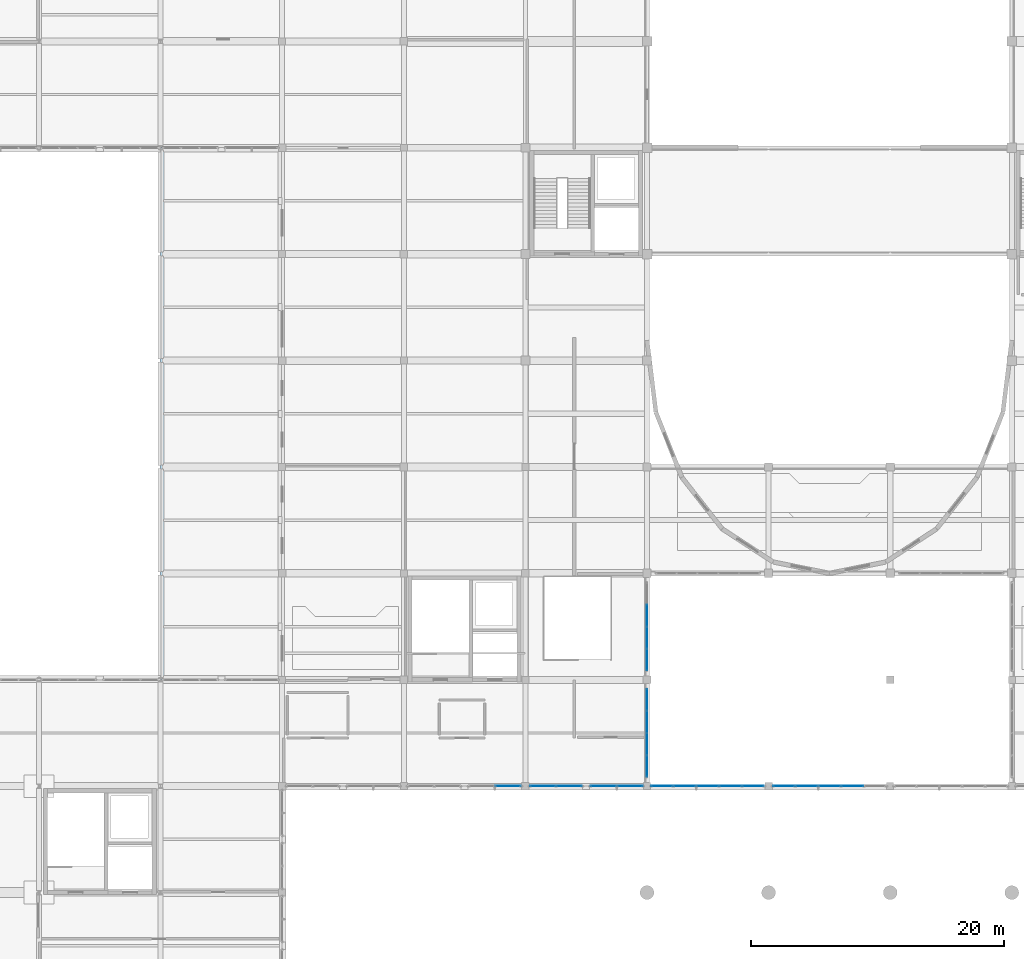
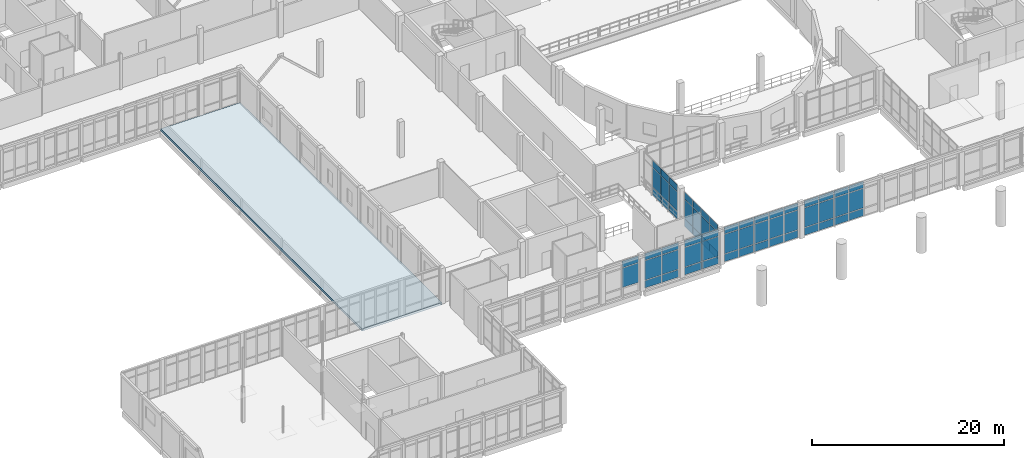
# One storey, part 64 of 88: 62 plates, 1 slab, 7 elements without a shape of their own.
"""IFC4 building model written with IfcOpenShell, lengths in metres."""

import ifcopenshell
import ifcopenshell.guid

model = None  # the IFC model being written
_history = None  # IfcOwnerHistory: only IFC2X3 demands one
_inside = {}  # id of a spatial element -> (the spatial element, [elements in it])
_under = {}  # id of a project, library or spatial element -> (it, [spatial elements below it])
_declared = {}  # id of a project -> (the project, [libraries it declares])
_typed = {}  # id of a type object -> (the type object, [elements of that type])
_made_of = {}  # id of a material, layer set ... -> (it, [elements and type objects made of it])


def new_model(schema):
    """Start an empty IFC model of exactly this schema.

    Asked for "IFC4X3", IfcOpenShell would pick the latest addendum, in which some entities
    have other attributes; the version numbers below select the first issue.
    IFC2X3 requires an IfcOwnerHistory on every rooted entity: one is made here for all.
    """
    global model, _history
    if schema == "IFC4X3":
        model = ifcopenshell.file(schema_version=(4, 3, 0, 0))
    else:
        model = ifcopenshell.file(schema=schema)
    _inside.clear()
    _under.clear()
    _declared.clear()
    _typed.clear()
    _made_of.clear()
    _history = None
    if model.schema == "IFC2X3":
        org = make("IfcOrganization", Name="unknown")
        user = make(
            "IfcPersonAndOrganization",
            ThePerson=make("IfcPerson", FamilyName="unknown"),
            TheOrganization=org,
        )
        app = make(
            "IfcApplication",
            ApplicationDeveloper=org,
            Version="unknown",
            ApplicationFullName="unknown",
            ApplicationIdentifier="unknown",
        )
        _history = make(
            "IfcOwnerHistory",
            OwningUser=user,
            OwningApplication=app,
            ChangeAction="ADDED",
            CreationDate=0,
        )
    return model


def make(cls, **values):
    """One entity of the class cls with the attributes given. An attribute that is None is left unset."""
    return model.create_entity(
        cls, **{name: value for name, value in values.items() if value is not None}
    )


def rooted(cls, **values):
    """An entity with a GlobalId (a new one), such as an element, a storey or a relation."""
    return make(cls, GlobalId=ifcopenshell.guid.new(), OwnerHistory=_history, **values)


def si_unit(unit_type, name, prefix=None):
    """IfcSIUnit, for example si_unit("LENGTHUNIT", "METRE", prefix="MILLI")."""
    return make("IfcSIUnit", UnitType=unit_type, Prefix=prefix, Name=name)


def assignment(units):
    """IfcUnitAssignment: the units of a project."""
    return None if units is None else make("IfcUnitAssignment", Units=units)


def point(xyz):
    """IfcCartesianPoint."""
    return None if xyz is None else make("IfcCartesianPoint", Coordinates=xyz)


def direction(xyz):
    """IfcDirection."""
    return None if xyz is None else make("IfcDirection", DirectionRatios=xyz)


def frame(location, z_axis=None, x_axis=None):
    """IfcAxis2Placement3D, a coordinate frame: its origin and axes. An axis left out is left unset."""
    return make(
        "IfcAxis2Placement3D",
        Location=point(location),
        Axis=direction(z_axis),
        RefDirection=direction(x_axis),
    )


def frame_2d(location, x_axis=None):
    """IfcAxis2Placement2D, a coordinate frame in the plane: its origin and x axis."""
    return make(
        "IfcAxis2Placement2D", Location=point(location), RefDirection=direction(x_axis)
    )


def origin():
    """The frame at (0, 0, 0) with its axes left unset."""
    return frame((0.0, 0.0, 0.0))


def origin_2d():
    """The frame at (0, 0) in the plane with its x axis left unset."""
    return frame_2d((0.0, 0.0))


def place(relative_to, where):
    """IfcLocalPlacement: puts the frame where relative to a parent placement (None: the world)."""
    return make(
        "IfcLocalPlacement", PlacementRelTo=relative_to, RelativePlacement=where
    )


def context(
    kind, dimensions, precision=None, world=None, true_north=None, identifier=None
):
    """IfcGeometricRepresentationContext, for example the 3D "Model" context."""
    return make(
        "IfcGeometricRepresentationContext",
        ContextIdentifier=identifier,
        ContextType=kind,
        CoordinateSpaceDimension=dimensions,
        Precision=precision,
        WorldCoordinateSystem=world,
        TrueNorth=true_north,
    )


def subcontext(parent, identifier, kind, view, scale=None):
    """IfcGeometricRepresentationSubContext, for example "Body" below "Model"."""
    return make(
        "IfcGeometricRepresentationSubContext",
        ContextIdentifier=identifier,
        ContextType=kind,
        ParentContext=parent,
        TargetScale=scale,
        TargetView=view,
    )


def project(units=None, contexts=None):
    """IfcProject with its units and contexts."""
    return rooted(
        "IfcProject",
        Name="project",
        RepresentationContexts=contexts,
        UnitsInContext=assignment(units),
    )


def spatial(cls, under=None, at=None, **own):
    """A site, building, storey or space (cls), placed at a placement, below another one or the project."""
    s = rooted(cls, ObjectPlacement=at, **own)
    if under is not None:
        _under.setdefault(under.id(), (under, []))[1].append(s)
    return s


def polyline(points):
    """IfcPolyline through the points."""
    return make("IfcPolyline", Points=[point(p) for p in points])


def profile(cls, at=None, kind="AREA", **sizes):
    """A parametric profile (cls). Its sizes go by their IFC names, for example OverallWidth=200.0."""
    return make(cls, ProfileType=kind, Position=at, **sizes)


def rectangle(**sizes):
    """IfcRectangleProfileDef."""
    return profile("IfcRectangleProfileDef", **sizes)


def outline(outer, holes=None, kind="AREA"):
    """IfcArbitraryClosedProfileDef: a profile drawn as a closed curve; with holes, ...WithVoids."""
    if holes is None:
        return make("IfcArbitraryClosedProfileDef", ProfileType=kind, OuterCurve=outer)
    return make(
        "IfcArbitraryProfileDefWithVoids",
        ProfileType=kind,
        OuterCurve=outer,
        InnerCurves=holes,
    )


def extrude(swept, where, along, depth):
    """IfcExtrudedAreaSolid: the profile swept, set in the frame where, extruded along a direction by depth."""
    return make(
        "IfcExtrudedAreaSolid",
        SweptArea=swept,
        Position=where,
        ExtrudedDirection=direction(along),
        Depth=depth,
    )


def shape(context_of_items, identifier, shape_type, items):
    """IfcShapeRepresentation: the items that make up one representation, for example the "Body"."""
    return make(
        "IfcShapeRepresentation",
        ContextOfItems=context_of_items,
        RepresentationIdentifier=identifier,
        RepresentationType=shape_type,
        Items=items,
    )


def material(Name=None, Category=None):
    """IfcMaterial."""
    return make("IfcMaterial", Name=Name, Category=Category)


def layer(
    of_material, thickness, ventilated=None, Name=None, Category=None, Priority=None
):
    """IfcMaterialLayer: one layer of a wall or slab, of a material (None: an air gap)."""
    return make(
        "IfcMaterialLayer",
        Material=of_material,
        LayerThickness=thickness,
        IsVentilated=ventilated,
        Name=Name,
        Category=Category,
        Priority=Priority,
    )


def layer_set(layers, Name=None):
    """IfcMaterialLayerSet."""
    return make("IfcMaterialLayerSet", MaterialLayers=layers, LayerSetName=Name)


def made_of(thing, what):
    """Note that an element or type object is made of a material, layer set ...; save() writes the relation."""
    if what is not None:
        _made_of.setdefault(what.id(), (what, []))[1].append(thing)
    return thing


def type_object(cls, material=None, **own):
    """A type object (cls), such as IfcWallType, which elements share."""
    return made_of(rooted(cls, **own), material)


def element(
    cls,
    number,
    at=None,
    inside=None,
    cuts=None,
    type_object=None,
    material=None,
    context=None,
    identifier="Body",
    shape_type=None,
    held_by="IfcProductDefinitionShape",
    body=None,
    shapes=None,
    **own,
):
    """One element of the class cls, such as IfcWall. Its Tag is "e" and its number.

    at: its placement. inside: the storey or other place that contains it. cuts: it is an
    opening in that element (IfcRelVoidsElement). A single representation is given by context,
    identifier, shape_type and body (its items); several are given by shapes. held_by: the class
    of the entity that holds the representations. save() writes the other relations.
    """
    e = rooted(cls, Tag="e%d" % number, ObjectPlacement=at, **own)
    if body is not None:
        shapes = [shape(context, identifier, shape_type, body)]
    if shapes is not None:
        e.Representation = make(held_by, Representations=shapes)
    if inside is not None:
        _inside.setdefault(inside.id(), (inside, []))[1].append(e)
    if cuts is not None:
        rooted(
            "IfcRelVoidsElement", RelatingBuildingElement=cuts, RelatedOpeningElement=e
        )
    if type_object is not None:
        _typed.setdefault(type_object.id(), (type_object, []))[1].append(e)
    return made_of(e, material)


def aggregate(whole, parts):
    """IfcRelAggregates: a whole, such as a stair, and the parts it consists of."""
    return rooted("IfcRelAggregates", RelatingObject=whole, RelatedObjects=parts)


def save(model, path):
    """Write the relations noted so far, then the file.

    IfcRelAggregates (storeys below a building ...), IfcRelContainedInSpatialStructure (elements
    in a storey), IfcRelDefinesByType, IfcRelAssociatesMaterial and IfcRelDeclares: one each for
    every whole, place, type object, material and project.
    """
    for whole, parts in _under.values():
        aggregate(whole, parts)
    for where, things in _inside.values():
        rooted(
            "IfcRelContainedInSpatialStructure",
            RelatedElements=things,
            RelatingStructure=where,
        )
    for kind, things in _typed.values():
        rooted("IfcRelDefinesByType", RelatedObjects=things, RelatingType=kind)
    for what, things in _made_of.values():
        rooted("IfcRelAssociatesMaterial", RelatedObjects=things, RelatingMaterial=what)
    for by, libraries in _declared.values():
        rooted("IfcRelDeclares", RelatingContext=by, RelatedDefinitions=libraries)
    model.write(path)


model = new_model("IFC4")

# Units and contexts
model_context = context("Model", 3, precision=1e-05, world=origin(), true_north=direction((0.0, 1.0)))
body_context = subcontext(model_context, "Body", "Model", "MODEL_VIEW")
ifc_project = project(units=[si_unit("LENGTHUNIT", "METRE"), si_unit("AREAUNIT", "SQUARE_METRE"), si_unit("VOLUMEUNIT", "CUBIC_METRE"), si_unit("PLANEANGLEUNIT", "RADIAN"), si_unit("MASSUNIT", "GRAM", prefix="KILO")], contexts=[model_context])

# Site, building, storey
site_placement = place(None, origin())
site = spatial("IfcSite", under=ifc_project, at=site_placement, CompositionType="ELEMENT")
building_placement = place(site_placement, origin())
building = spatial("IfcBuilding", under=site, at=building_placement, Name="Lornevale Opera House", CompositionType="ELEMENT")
storey_placement = place(building_placement, frame((0.0, 0.0, 10.199951171875)))
storey = spatial("IfcBuildingStorey", under=building, at=storey_placement, Name="L03", CompositionType="ELEMENT", Elevation=10.199951171875)

# Curtain wall, plates
ifc_material_1 = material(Name="Anodized Oxide-Green Aluminium Framing", Category="aluminium")
ifc_layer_1 = layer(ifc_material_1, 0.14990234375)
ifc_layer_set_1 = layer_set([ifc_layer_1], Name="Anodized Oxide-Green Aluminium Framing")
curtain_wall_type_1 = type_object("IfcCurtainWallType", Name="North-Light Clerestory Curtain Wall M1600", PredefinedType="NOTDEFINED", material=ifc_layer_set_1)
curtain_wall_1_placement = place(storey_placement, origin())
curtain_wall_1 = element("IfcCurtainWall", 1, at=curtain_wall_1_placement, inside=storey, type_object=curtain_wall_type_1, Name="North-Light Clerestory Curtain Wall M1600 CW-177", PredefinedType="NOTDEFINED")
ifc_material_2 = material(Name="Triple Low-E Insulated Glazing", Category="glass")
ifc_layer_2 = layer(ifc_material_2, 0.033935546875)
ifc_layer_set_2 = layer_set([ifc_layer_2], Name="Triple Low-E Insulated Glazing")
plate_type_1 = type_object("IfcPlateType", Name="Clerestory Diffusing Glazing Panel 34", PredefinedType="CURTAIN_PANEL", material=ifc_layer_set_2)
plate_1_placement = place(storey_placement, frame((67.199951171875, 18.389892578125, 0.06005859375), z_axis=(0.0, 0.0, 1.0), x_axis=(0.0, 1.0, 0.0)))
plate_1 = element("IfcPlate", 2, at=plate_1_placement, type_object=plate_type_1, Name="Clerestory Diffusing Glazing Panel 34 CW3682", PredefinedType="CURTAIN_PANEL", context=body_context, shape_type="SweptSolid", body=[
    extrude(rectangle(XDim=1.659912109375, YDim=0.033935546875, at=origin_2d()), origin(), (0.0, 0.0, 1.0), 0.9599609375),
])
plate_2_placement = place(storey_placement, frame((67.199951171875, 18.389892578125, 1.080078125), z_axis=(0.0, 0.0, 1.0), x_axis=(0.0, 1.0, 0.0)))
plate_2 = element("IfcPlate", 3, at=plate_2_placement, type_object=plate_type_1, Name="Clerestory Diffusing Glazing Panel 34 CW3683", PredefinedType="CURTAIN_PANEL", context=body_context, shape_type="SweptSolid", body=[
    extrude(rectangle(XDim=1.659912109375, YDim=0.033935546875, at=origin_2d()), origin(), (0.0, 0.0, 1.0), 2.43994140625),
])
plate_3_placement = place(storey_placement, frame((67.199951171875, 18.389892578125, 3.580078125), z_axis=(0.0, 0.0, 1.0), x_axis=(0.0, 1.0, 0.0)))
plate_3 = element("IfcPlate", 4, at=plate_3_placement, type_object=plate_type_1, Name="Clerestory Diffusing Glazing Panel 34 CW3684", PredefinedType="CURTAIN_PANEL", context=body_context, shape_type="SweptSolid", body=[
    extrude(rectangle(XDim=1.659912109375, YDim=0.033935546875, at=origin_2d()), origin(), (0.0, 0.0, 1.0), 0.860107421875),
])
plate_4_placement = place(storey_placement, frame((67.199951171875, 20.125, 0.06005859375), z_axis=(0.0, 0.0, 1.0), x_axis=(0.0, 1.0, 0.0)))
plate_4 = element("IfcPlate", 5, at=plate_4_placement, type_object=plate_type_1, Name="Clerestory Diffusing Glazing Panel 34 CW3689", PredefinedType="CURTAIN_PANEL", context=body_context, shape_type="SweptSolid", body=[
    extrude(rectangle(XDim=1.68994140625, YDim=0.033935546875, at=origin_2d()), origin(), (0.0, 0.0, 1.0), 0.9599609375),
])
plate_5_placement = place(storey_placement, frame((67.199951171875, 20.125, 1.080078125), z_axis=(0.0, 0.0, 1.0), x_axis=(0.0, 1.0, 0.0)))
plate_5 = element("IfcPlate", 6, at=plate_5_placement, type_object=plate_type_1, Name="Clerestory Diffusing Glazing Panel 34 CW3690", PredefinedType="CURTAIN_PANEL", context=body_context, shape_type="SweptSolid", body=[
    extrude(rectangle(XDim=1.68994140625, YDim=0.033935546875, at=origin_2d()), origin(), (0.0, 0.0, 1.0), 2.43994140625),
])
plate_6_placement = place(storey_placement, frame((67.199951171875, 20.125, 3.580078125), z_axis=(0.0, 0.0, 1.0), x_axis=(0.0, 1.0, 0.0)))
plate_6 = element("IfcPlate", 7, at=plate_6_placement, type_object=plate_type_1, Name="Clerestory Diffusing Glazing Panel 34 CW3691", PredefinedType="CURTAIN_PANEL", context=body_context, shape_type="SweptSolid", body=[
    extrude(rectangle(XDim=1.68994140625, YDim=0.033935546875, at=origin_2d()), origin(), (0.0, 0.0, 1.0), 0.860107421875),
])
plate_7_placement = place(storey_placement, frame((67.199951171875, 21.875, 0.06005859375), z_axis=(0.0, 0.0, 1.0), x_axis=(0.0, 1.0, 0.0)))
plate_7 = element("IfcPlate", 8, at=plate_7_placement, type_object=plate_type_1, Name="Clerestory Diffusing Glazing Panel 34 CW3696", PredefinedType="CURTAIN_PANEL", context=body_context, shape_type="SweptSolid", body=[
    extrude(rectangle(XDim=1.68994140625, YDim=0.033935546875, at=origin_2d()), origin(), (0.0, 0.0, 1.0), 0.9599609375),
])
plate_8_placement = place(storey_placement, frame((67.199951171875, 21.875, 1.080078125), z_axis=(0.0, 0.0, 1.0), x_axis=(0.0, 1.0, 0.0)))
plate_8 = element("IfcPlate", 9, at=plate_8_placement, type_object=plate_type_1, Name="Clerestory Diffusing Glazing Panel 34 CW3697", PredefinedType="CURTAIN_PANEL", context=body_context, shape_type="SweptSolid", body=[
    extrude(rectangle(XDim=1.68994140625, YDim=0.033935546875, at=origin_2d()), origin(), (0.0, 0.0, 1.0), 2.43994140625),
])
plate_9_placement = place(storey_placement, frame((67.199951171875, 21.875, 3.580078125), z_axis=(0.0, 0.0, 1.0), x_axis=(0.0, 1.0, 0.0)))
plate_9 = element("IfcPlate", 10, at=plate_9_placement, type_object=plate_type_1, Name="Clerestory Diffusing Glazing Panel 34 CW3698", PredefinedType="CURTAIN_PANEL", context=body_context, shape_type="SweptSolid", body=[
    extrude(rectangle(XDim=1.68994140625, YDim=0.033935546875, at=origin_2d()), origin(), (0.0, 0.0, 1.0), 0.860107421875),
])
plate_10_placement = place(storey_placement, frame((67.199951171875, 23.610107421875, 0.06005859375), z_axis=(0.0, 0.0, 1.0), x_axis=(0.0, 1.0, 0.0)))
plate_10 = element("IfcPlate", 11, at=plate_10_placement, type_object=plate_type_1, Name="Clerestory Diffusing Glazing Panel 34 CW3703", PredefinedType="CURTAIN_PANEL", context=body_context, shape_type="SweptSolid", body=[
    extrude(rectangle(XDim=1.659912109375, YDim=0.033935546875, at=origin_2d()), origin(), (0.0, 0.0, 1.0), 0.9599609375),
])
plate_11_placement = place(storey_placement, frame((67.199951171875, 23.610107421875, 1.080078125), z_axis=(0.0, 0.0, 1.0), x_axis=(0.0, 1.0, 0.0)))
plate_11 = element("IfcPlate", 12, at=plate_11_placement, type_object=plate_type_1, Name="Clerestory Diffusing Glazing Panel 34 CW3704", PredefinedType="CURTAIN_PANEL", context=body_context, shape_type="SweptSolid", body=[
    extrude(rectangle(XDim=1.659912109375, YDim=0.033935546875, at=origin_2d()), origin(), (0.0, 0.0, 1.0), 2.43994140625),
])
plate_12_placement = place(storey_placement, frame((67.199951171875, 23.610107421875, 3.580078125), z_axis=(0.0, 0.0, 1.0), x_axis=(0.0, 1.0, 0.0)))
plate_12 = element("IfcPlate", 13, at=plate_12_placement, type_object=plate_type_1, Name="Clerestory Diffusing Glazing Panel 34 CW3705", PredefinedType="CURTAIN_PANEL", context=body_context, shape_type="SweptSolid", body=[
    extrude(rectangle(XDim=1.659912109375, YDim=0.033935546875, at=origin_2d()), origin(), (0.0, 0.0, 1.0), 0.860107421875),
])
aggregate(curtain_wall_1, [plate_1, plate_2, plate_3, plate_4, plate_5, plate_6, plate_7, plate_8, plate_9, plate_10, plate_11, plate_12])

curtain_wall_2_placement = place(storey_placement, origin())
curtain_wall_2 = element("IfcCurtainWall", 14, at=curtain_wall_2_placement, inside=storey, type_object=curtain_wall_type_1, Name="North-Light Clerestory Curtain Wall M1600 CW-178", PredefinedType="NOTDEFINED")
plate_13_placement = place(storey_placement, frame((67.199951171875, 26.7900390625, 0.06005859375), z_axis=(0.0, 0.0, 1.0), x_axis=(0.0, 1.0, 0.0)))
plate_13 = element("IfcPlate", 15, at=plate_13_placement, type_object=plate_type_1, Name="Clerestory Diffusing Glazing Panel 34 CW3715", PredefinedType="CURTAIN_PANEL", context=body_context, shape_type="SweptSolid", body=[
    extrude(rectangle(XDim=1.659912109375, YDim=0.033935546875, at=origin_2d()), origin(), (0.0, 0.0, 1.0), 0.9599609375),
])
plate_14_placement = place(storey_placement, frame((67.199951171875, 26.7900390625, 1.080078125), z_axis=(0.0, 0.0, 1.0), x_axis=(0.0, 1.0, 0.0)))
plate_14 = element("IfcPlate", 16, at=plate_14_placement, type_object=plate_type_1, Name="Clerestory Diffusing Glazing Panel 34 CW3716", PredefinedType="CURTAIN_PANEL", context=body_context, shape_type="SweptSolid", body=[
    extrude(rectangle(XDim=1.659912109375, YDim=0.033935546875, at=origin_2d()), origin(), (0.0, 0.0, 1.0), 2.43994140625),
])
plate_15_placement = place(storey_placement, frame((67.199951171875, 26.7900390625, 3.580078125), z_axis=(0.0, 0.0, 1.0), x_axis=(0.0, 1.0, 0.0)))
plate_15 = element("IfcPlate", 17, at=plate_15_placement, type_object=plate_type_1, Name="Clerestory Diffusing Glazing Panel 34 CW3717", PredefinedType="CURTAIN_PANEL", context=body_context, shape_type="SweptSolid", body=[
    extrude(rectangle(XDim=1.659912109375, YDim=0.033935546875, at=origin_2d()), origin(), (0.0, 0.0, 1.0), 0.860107421875),
])
plate_16_placement = place(storey_placement, frame((67.199951171875, 28.52490234375, 0.06005859375), z_axis=(0.0, 0.0, 1.0), x_axis=(0.0, 1.0, 0.0)))
plate_16 = element("IfcPlate", 18, at=plate_16_placement, type_object=plate_type_1, Name="Clerestory Diffusing Glazing Panel 34 CW3722", PredefinedType="CURTAIN_PANEL", context=body_context, shape_type="SweptSolid", body=[
    extrude(rectangle(XDim=1.68994140625, YDim=0.033935546875, at=origin_2d()), origin(), (0.0, 0.0, 1.0), 0.9599609375),
])
plate_17_placement = place(storey_placement, frame((67.199951171875, 28.52490234375, 1.080078125), z_axis=(0.0, 0.0, 1.0), x_axis=(0.0, 1.0, 0.0)))
plate_17 = element("IfcPlate", 19, at=plate_17_placement, type_object=plate_type_1, Name="Clerestory Diffusing Glazing Panel 34 CW3723", PredefinedType="CURTAIN_PANEL", context=body_context, shape_type="SweptSolid", body=[
    extrude(rectangle(XDim=1.68994140625, YDim=0.033935546875, at=origin_2d()), origin(), (0.0, 0.0, 1.0), 2.43994140625),
])
plate_18_placement = place(storey_placement, frame((67.199951171875, 28.52490234375, 3.580078125), z_axis=(0.0, 0.0, 1.0), x_axis=(0.0, 1.0, 0.0)))
plate_18 = element("IfcPlate", 20, at=plate_18_placement, type_object=plate_type_1, Name="Clerestory Diffusing Glazing Panel 34 CW3724", PredefinedType="CURTAIN_PANEL", context=body_context, shape_type="SweptSolid", body=[
    extrude(rectangle(XDim=1.68994140625, YDim=0.033935546875, at=origin_2d()), origin(), (0.0, 0.0, 1.0), 0.860107421875),
])
plate_19_placement = place(storey_placement, frame((67.199951171875, 30.27490234375, 0.06005859375), z_axis=(0.0, 0.0, 1.0), x_axis=(0.0, 1.0, 0.0)))
plate_19 = element("IfcPlate", 21, at=plate_19_placement, type_object=plate_type_1, Name="Clerestory Diffusing Glazing Panel 34 CW3729", PredefinedType="CURTAIN_PANEL", context=body_context, shape_type="SweptSolid", body=[
    extrude(rectangle(XDim=1.68994140625, YDim=0.033935546875, at=origin_2d()), origin(), (0.0, 0.0, 1.0), 0.9599609375),
])
plate_20_placement = place(storey_placement, frame((67.199951171875, 30.27490234375, 1.080078125), z_axis=(0.0, 0.0, 1.0), x_axis=(0.0, 1.0, 0.0)))
plate_20 = element("IfcPlate", 22, at=plate_20_placement, type_object=plate_type_1, Name="Clerestory Diffusing Glazing Panel 34 CW3730", PredefinedType="CURTAIN_PANEL", context=body_context, shape_type="SweptSolid", body=[
    extrude(rectangle(XDim=1.68994140625, YDim=0.033935546875, at=origin_2d()), origin(), (0.0, 0.0, 1.0), 2.43994140625),
])
plate_21_placement = place(storey_placement, frame((67.199951171875, 30.27490234375, 3.580078125), z_axis=(0.0, 0.0, 1.0), x_axis=(0.0, 1.0, 0.0)))
plate_21 = element("IfcPlate", 23, at=plate_21_placement, type_object=plate_type_1, Name="Clerestory Diffusing Glazing Panel 34 CW3731", PredefinedType="CURTAIN_PANEL", context=body_context, shape_type="SweptSolid", body=[
    extrude(rectangle(XDim=1.68994140625, YDim=0.033935546875, at=origin_2d()), origin(), (0.0, 0.0, 1.0), 0.860107421875),
])
aggregate(curtain_wall_2, [plate_13, plate_14, plate_15, plate_16, plate_17, plate_18, plate_19, plate_20, plate_21])

ifc_layer_3 = layer(ifc_material_1, 0.219970703125)
ifc_layer_set_3 = layer_set([ifc_layer_3], Name="Anodized Oxide-Green Aluminium Framing")
curtain_wall_type_2 = type_object("IfcCurtainWallType", Name="Winter-Garden Curtain Wall M1900", PredefinedType="NOTDEFINED", material=ifc_layer_set_3)
curtain_wall_3_placement = place(storey_placement, origin())
curtain_wall_3 = element("IfcCurtainWall", 24, at=curtain_wall_3_placement, inside=storey, type_object=curtain_wall_type_2, Name="Winter-Garden Curtain Wall M1900 CW-132", PredefinedType="NOTDEFINED")
ifc_layer_4 = layer(ifc_material_2, 0.0380859375)
ifc_layer_set_4 = layer_set([ifc_layer_4], Name="Triple Low-E Insulated Glazing")
plate_type_2 = type_object("IfcPlateType", Name="Triple Low-E Vision Panel 38", PredefinedType="CURTAIN_PANEL", material=ifc_layer_set_4)
plate_22_placement = place(storey_placement, frame((56.229248046875, 16.800048828125, 1.08740234375), z_axis=(0.0, 0.0, 1.0), x_axis=(-1.0, 0.0, 0.0)))
plate_22 = element("IfcPlate", 25, at=plate_22_placement, type_object=plate_type_2, Name="Triple Low-E Vision Panel 38 CW2732", PredefinedType="CURTAIN_PANEL", context=body_context, shape_type="SweptSolid", body=[
    extrude(rectangle(XDim=1.99951171875, YDim=0.0380859375, at=origin_2d()), origin(), (0.0, 0.0, 1.0), 2.465087890625),
])
plate_23_placement = place(storey_placement, frame((56.229248046875, 16.800048828125, 3.62744140625), z_axis=(0.0, 0.0, 1.0), x_axis=(-1.0, 0.0, 0.0)))
plate_23 = element("IfcPlate", 26, at=plate_23_placement, type_object=plate_type_2, Name="Triple Low-E Vision Panel 38 CW2733", PredefinedType="CURTAIN_PANEL", context=body_context, shape_type="SweptSolid", body=[
    extrude(rectangle(XDim=1.99951171875, YDim=0.0380859375, at=origin_2d()), origin(), (0.0, 0.0, 1.0), 0.83740234375),
])
aggregate(curtain_wall_3, [plate_22, plate_23])

curtain_wall_4_placement = place(storey_placement, origin())
curtain_wall_4 = element("IfcCurtainWall", 27, at=curtain_wall_4_placement, inside=storey, type_object=curtain_wall_type_2, Name="Winter-Garden Curtain Wall M1900 CW-134", PredefinedType="NOTDEFINED")
plate_24_placement = place(storey_placement, frame((65.847900390625, 16.800048828125, 0.0751953125), z_axis=(0.0, 0.0, 1.0), x_axis=(-1.0, 0.0, 0.0)))
plate_24 = element("IfcPlate", 28, at=plate_24_placement, type_object=plate_type_2, Name="Triple Low-E Vision Panel 38 CW2765", PredefinedType="CURTAIN_PANEL", context=body_context, shape_type="SweptSolid", body=[
    extrude(rectangle(XDim=2.011962890625, YDim=0.0380859375, at=origin_2d()), origin(), (0.0, 0.0, 1.0), 0.9375),
])
plate_25_placement = place(storey_placement, frame((65.847900390625, 16.800048828125, 1.08740234375), z_axis=(0.0, 0.0, 1.0), x_axis=(-1.0, 0.0, 0.0)))
plate_25 = element("IfcPlate", 29, at=plate_25_placement, type_object=plate_type_2, Name="Triple Low-E Vision Panel 38 CW2766", PredefinedType="CURTAIN_PANEL", context=body_context, shape_type="SweptSolid", body=[
    extrude(rectangle(XDim=2.011962890625, YDim=0.0380859375, at=origin_2d()), origin(), (0.0, 0.0, 1.0), 2.465087890625),
])
plate_26_placement = place(storey_placement, frame((65.847900390625, 16.800048828125, 3.62744140625), z_axis=(0.0, 0.0, 1.0), x_axis=(-1.0, 0.0, 0.0)))
plate_26 = element("IfcPlate", 30, at=plate_26_placement, type_object=plate_type_2, Name="Triple Low-E Vision Panel 38 CW2767", PredefinedType="CURTAIN_PANEL", context=body_context, shape_type="SweptSolid", body=[
    extrude(rectangle(XDim=2.011962890625, YDim=0.0380859375, at=origin_2d()), origin(), (0.0, 0.0, 1.0), 0.83740234375),
])
plate_27_placement = place(storey_placement, frame((63.760986328125, 16.800048828125, 0.0751953125), z_axis=(0.0, 0.0, 1.0), x_axis=(-1.0, 0.0, 0.0)))
plate_27 = element("IfcPlate", 31, at=plate_27_placement, type_object=plate_type_2, Name="Triple Low-E Vision Panel 38 CW2772", PredefinedType="CURTAIN_PANEL", context=body_context, shape_type="SweptSolid", body=[
    extrude(rectangle(XDim=2.011962890625, YDim=0.0380859375, at=origin_2d()), origin(), (0.0, 0.0, 1.0), 0.9375),
])
plate_28_placement = place(storey_placement, frame((63.760986328125, 16.800048828125, 1.08740234375), z_axis=(0.0, 0.0, 1.0), x_axis=(-1.0, 0.0, 0.0)))
plate_28 = element("IfcPlate", 32, at=plate_28_placement, type_object=plate_type_2, Name="Triple Low-E Vision Panel 38 CW2773", PredefinedType="CURTAIN_PANEL", context=body_context, shape_type="SweptSolid", body=[
    extrude(rectangle(XDim=2.011962890625, YDim=0.0380859375, at=origin_2d()), origin(), (0.0, 0.0, 1.0), 2.465087890625),
])
plate_29_placement = place(storey_placement, frame((63.760986328125, 16.800048828125, 3.62744140625), z_axis=(0.0, 0.0, 1.0), x_axis=(-1.0, 0.0, 0.0)))
plate_29 = element("IfcPlate", 33, at=plate_29_placement, type_object=plate_type_2, Name="Triple Low-E Vision Panel 38 CW2774", PredefinedType="CURTAIN_PANEL", context=body_context, shape_type="SweptSolid", body=[
    extrude(rectangle(XDim=2.011962890625, YDim=0.0380859375, at=origin_2d()), origin(), (0.0, 0.0, 1.0), 0.83740234375),
])
aggregate(curtain_wall_4, [plate_24, plate_25, plate_26, plate_27, plate_28, plate_29])

curtain_wall_5_placement = place(storey_placement, origin())
curtain_wall_5 = element("IfcCurtainWall", 34, at=curtain_wall_5_placement, inside=storey, type_object=curtain_wall_type_2, Name="Winter-Garden Curtain Wall M1900 CW-135", PredefinedType="NOTDEFINED")
plate_30_placement = place(storey_placement, frame((61.045166015625, 16.800048828125, 0.0751953125), z_axis=(0.0, 0.0, 1.0), x_axis=(-1.0, 0.0, 0.0)))
plate_30 = element("IfcPlate", 35, at=plate_30_placement, type_object=plate_type_2, Name="Triple Low-E Vision Panel 38 CW2782", PredefinedType="CURTAIN_PANEL", context=body_context, shape_type="SweptSolid", body=[
    extrude(rectangle(XDim=1.99951171875, YDim=0.0380859375, at=origin_2d()), origin(), (0.0, 0.0, 1.0), 0.9375),
])
plate_31_placement = place(storey_placement, frame((61.045166015625, 16.800048828125, 1.08740234375), z_axis=(0.0, 0.0, 1.0), x_axis=(-1.0, 0.0, 0.0)))
plate_31 = element("IfcPlate", 36, at=plate_31_placement, type_object=plate_type_2, Name="Triple Low-E Vision Panel 38 CW2783", PredefinedType="CURTAIN_PANEL", context=body_context, shape_type="SweptSolid", body=[
    extrude(rectangle(XDim=1.99951171875, YDim=0.0380859375, at=origin_2d()), origin(), (0.0, 0.0, 1.0), 2.465087890625),
])
plate_32_placement = place(storey_placement, frame((61.045166015625, 16.800048828125, 3.62744140625), z_axis=(0.0, 0.0, 1.0), x_axis=(-1.0, 0.0, 0.0)))
plate_32 = element("IfcPlate", 37, at=plate_32_placement, type_object=plate_type_2, Name="Triple Low-E Vision Panel 38 CW2784", PredefinedType="CURTAIN_PANEL", context=body_context, shape_type="SweptSolid", body=[
    extrude(rectangle(XDim=1.99951171875, YDim=0.0380859375, at=origin_2d()), origin(), (0.0, 0.0, 1.0), 0.83740234375),
])
plate_33_placement = place(storey_placement, frame((58.970703125, 16.800048828125, 0.0751953125), z_axis=(0.0, 0.0, 1.0), x_axis=(-1.0, 0.0, 0.0)))
plate_33 = element("IfcPlate", 38, at=plate_33_placement, type_object=plate_type_2, Name="Triple Low-E Vision Panel 38 CW2789", PredefinedType="CURTAIN_PANEL", context=body_context, shape_type="SweptSolid", body=[
    extrude(rectangle(XDim=1.99951171875, YDim=0.0380859375, at=origin_2d()), origin(), (0.0, 0.0, 1.0), 0.9375),
])
plate_34_placement = place(storey_placement, frame((58.970703125, 16.800048828125, 1.08740234375), z_axis=(0.0, 0.0, 1.0), x_axis=(-1.0, 0.0, 0.0)))
plate_34 = element("IfcPlate", 39, at=plate_34_placement, type_object=plate_type_2, Name="Triple Low-E Vision Panel 38 CW2790", PredefinedType="CURTAIN_PANEL", context=body_context, shape_type="SweptSolid", body=[
    extrude(rectangle(XDim=1.99951171875, YDim=0.0380859375, at=origin_2d()), origin(), (0.0, 0.0, 1.0), 2.465087890625),
])
plate_35_placement = place(storey_placement, frame((58.970703125, 16.800048828125, 3.62744140625), z_axis=(0.0, 0.0, 1.0), x_axis=(-1.0, 0.0, 0.0)))
plate_35 = element("IfcPlate", 40, at=plate_35_placement, type_object=plate_type_2, Name="Triple Low-E Vision Panel 38 CW2791", PredefinedType="CURTAIN_PANEL", context=body_context, shape_type="SweptSolid", body=[
    extrude(rectangle(XDim=1.99951171875, YDim=0.0380859375, at=origin_2d()), origin(), (0.0, 0.0, 1.0), 0.83740234375),
])
aggregate(curtain_wall_5, [plate_30, plate_31, plate_32, plate_33, plate_34, plate_35])

curtain_wall_6_placement = place(storey_placement, origin())
curtain_wall_6 = element("IfcCurtainWall", 41, at=curtain_wall_6_placement, inside=storey, type_object=curtain_wall_type_2, Name="Winter-Garden Curtain Wall M1900 CW-136", PredefinedType="NOTDEFINED")
plate_36_placement = place(storey_placement, frame((75.58203125, 16.800048828125, 0.0751953125), z_axis=(0.0, 0.0, 1.0), x_axis=(-1.0, 0.0, 0.0)))
plate_36 = element("IfcPlate", 42, at=plate_36_placement, type_object=plate_type_2, Name="Triple Low-E Vision Panel 38 CW2802", PredefinedType="CURTAIN_PANEL", context=body_context, shape_type="SweptSolid", body=[
    extrude(rectangle(XDim=1.694091796875, YDim=0.0380859375, at=origin_2d()), origin(), (0.0, 0.0, 1.0), 0.9375),
])
plate_37_placement = place(storey_placement, frame((75.58203125, 16.800048828125, 1.08740234375), z_axis=(0.0, 0.0, 1.0), x_axis=(-1.0, 0.0, 0.0)))
plate_37 = element("IfcPlate", 43, at=plate_37_placement, type_object=plate_type_2, Name="Triple Low-E Vision Panel 38 CW2803", PredefinedType="CURTAIN_PANEL", context=body_context, shape_type="SweptSolid", body=[
    extrude(rectangle(XDim=1.694091796875, YDim=0.0380859375, at=origin_2d()), origin(), (0.0, 0.0, 1.0), 2.465087890625),
])
plate_38_placement = place(storey_placement, frame((75.58203125, 16.800048828125, 3.62744140625), z_axis=(0.0, 0.0, 1.0), x_axis=(-1.0, 0.0, 0.0)))
plate_38 = element("IfcPlate", 44, at=plate_38_placement, type_object=plate_type_2, Name="Triple Low-E Vision Panel 38 CW2804", PredefinedType="CURTAIN_PANEL", context=body_context, shape_type="SweptSolid", body=[
    extrude(rectangle(XDim=1.694091796875, YDim=0.0380859375, at=origin_2d()), origin(), (0.0, 0.0, 1.0), 0.83740234375),
])
plate_39_placement = place(storey_placement, frame((73.794189453125, 16.800048828125, 0.0751953125), z_axis=(0.0, 0.0, 1.0), x_axis=(-1.0, 0.0, 0.0)))
plate_39 = element("IfcPlate", 45, at=plate_39_placement, type_object=plate_type_2, Name="Triple Low-E Vision Panel 38 CW2809", PredefinedType="CURTAIN_PANEL", context=body_context, shape_type="SweptSolid", body=[
    extrude(rectangle(XDim=1.731689453125, YDim=0.0380859375, at=origin_2d()), origin(), (0.0, 0.0, 1.0), 0.9375),
])
plate_40_placement = place(storey_placement, frame((73.794189453125, 16.800048828125, 1.08740234375), z_axis=(0.0, 0.0, 1.0), x_axis=(-1.0, 0.0, 0.0)))
plate_40 = element("IfcPlate", 46, at=plate_40_placement, type_object=plate_type_2, Name="Triple Low-E Vision Panel 38 CW2810", PredefinedType="CURTAIN_PANEL", context=body_context, shape_type="SweptSolid", body=[
    extrude(rectangle(XDim=1.731689453125, YDim=0.0380859375, at=origin_2d()), origin(), (0.0, 0.0, 1.0), 2.465087890625),
])
plate_41_placement = place(storey_placement, frame((73.794189453125, 16.800048828125, 3.62744140625), z_axis=(0.0, 0.0, 1.0), x_axis=(-1.0, 0.0, 0.0)))
plate_41 = element("IfcPlate", 47, at=plate_41_placement, type_object=plate_type_2, Name="Triple Low-E Vision Panel 38 CW2811", PredefinedType="CURTAIN_PANEL", context=body_context, shape_type="SweptSolid", body=[
    extrude(rectangle(XDim=1.731689453125, YDim=0.0380859375, at=origin_2d()), origin(), (0.0, 0.0, 1.0), 0.83740234375),
])
plate_42_placement = place(storey_placement, frame((71.987548828125, 16.800048828125, 0.0751953125), z_axis=(0.0, 0.0, 1.0), x_axis=(-1.0, 0.0, 0.0)))
plate_42 = element("IfcPlate", 48, at=plate_42_placement, type_object=plate_type_2, Name="Triple Low-E Vision Panel 38 CW2816", PredefinedType="CURTAIN_PANEL", context=body_context, shape_type="SweptSolid", body=[
    extrude(rectangle(XDim=1.731689453125, YDim=0.0380859375, at=origin_2d()), origin(), (0.0, 0.0, 1.0), 0.9375),
])
plate_43_placement = place(storey_placement, frame((71.987548828125, 16.800048828125, 1.08740234375), z_axis=(0.0, 0.0, 1.0), x_axis=(-1.0, 0.0, 0.0)))
plate_43 = element("IfcPlate", 49, at=plate_43_placement, type_object=plate_type_2, Name="Triple Low-E Vision Panel 38 CW2817", PredefinedType="CURTAIN_PANEL", context=body_context, shape_type="SweptSolid", body=[
    extrude(rectangle(XDim=1.731689453125, YDim=0.0380859375, at=origin_2d()), origin(), (0.0, 0.0, 1.0), 2.465087890625),
])
plate_44_placement = place(storey_placement, frame((71.987548828125, 16.800048828125, 3.62744140625), z_axis=(0.0, 0.0, 1.0), x_axis=(-1.0, 0.0, 0.0)))
plate_44 = element("IfcPlate", 50, at=plate_44_placement, type_object=plate_type_2, Name="Triple Low-E Vision Panel 38 CW2818", PredefinedType="CURTAIN_PANEL", context=body_context, shape_type="SweptSolid", body=[
    extrude(rectangle(XDim=1.731689453125, YDim=0.0380859375, at=origin_2d()), origin(), (0.0, 0.0, 1.0), 0.83740234375),
])
plate_45_placement = place(storey_placement, frame((70.180908203125, 16.800048828125, 0.0751953125), z_axis=(0.0, 0.0, 1.0), x_axis=(-1.0, 0.0, 0.0)))
plate_45 = element("IfcPlate", 51, at=plate_45_placement, type_object=plate_type_2, Name="Triple Low-E Vision Panel 38 CW2823", PredefinedType="CURTAIN_PANEL", context=body_context, shape_type="SweptSolid", body=[
    extrude(rectangle(XDim=1.731689453125, YDim=0.0380859375, at=origin_2d()), origin(), (0.0, 0.0, 1.0), 0.9375),
])
plate_46_placement = place(storey_placement, frame((70.180908203125, 16.800048828125, 1.08740234375), z_axis=(0.0, 0.0, 1.0), x_axis=(-1.0, 0.0, 0.0)))
plate_46 = element("IfcPlate", 52, at=plate_46_placement, type_object=plate_type_2, Name="Triple Low-E Vision Panel 38 CW2824", PredefinedType="CURTAIN_PANEL", context=body_context, shape_type="SweptSolid", body=[
    extrude(rectangle(XDim=1.731689453125, YDim=0.0380859375, at=origin_2d()), origin(), (0.0, 0.0, 1.0), 2.465087890625),
])
plate_47_placement = place(storey_placement, frame((70.180908203125, 16.800048828125, 3.62744140625), z_axis=(0.0, 0.0, 1.0), x_axis=(-1.0, 0.0, 0.0)))
plate_47 = element("IfcPlate", 53, at=plate_47_placement, type_object=plate_type_2, Name="Triple Low-E Vision Panel 38 CW2825", PredefinedType="CURTAIN_PANEL", context=body_context, shape_type="SweptSolid", body=[
    extrude(rectangle(XDim=1.731689453125, YDim=0.0380859375, at=origin_2d()), origin(), (0.0, 0.0, 1.0), 0.83740234375),
])
plate_48_placement = place(storey_placement, frame((68.39306640625, 16.800048828125, 0.0751953125), z_axis=(0.0, 0.0, 1.0), x_axis=(-1.0, 0.0, 0.0)))
plate_48 = element("IfcPlate", 54, at=plate_48_placement, type_object=plate_type_2, Name="Triple Low-E Vision Panel 38 CW2830", PredefinedType="CURTAIN_PANEL", context=body_context, shape_type="SweptSolid", body=[
    extrude(rectangle(XDim=1.694091796875, YDim=0.0380859375, at=origin_2d()), origin(), (0.0, 0.0, 1.0), 0.9375),
])
plate_49_placement = place(storey_placement, frame((68.39306640625, 16.800048828125, 1.08740234375), z_axis=(0.0, 0.0, 1.0), x_axis=(-1.0, 0.0, 0.0)))
plate_49 = element("IfcPlate", 55, at=plate_49_placement, type_object=plate_type_2, Name="Triple Low-E Vision Panel 38 CW2831", PredefinedType="CURTAIN_PANEL", context=body_context, shape_type="SweptSolid", body=[
    extrude(rectangle(XDim=1.694091796875, YDim=0.0380859375, at=origin_2d()), origin(), (0.0, 0.0, 1.0), 2.465087890625),
])
plate_50_placement = place(storey_placement, frame((68.39306640625, 16.800048828125, 3.62744140625), z_axis=(0.0, 0.0, 1.0), x_axis=(-1.0, 0.0, 0.0)))
plate_50 = element("IfcPlate", 56, at=plate_50_placement, type_object=plate_type_2, Name="Triple Low-E Vision Panel 38 CW2832", PredefinedType="CURTAIN_PANEL", context=body_context, shape_type="SweptSolid", body=[
    extrude(rectangle(XDim=1.694091796875, YDim=0.0380859375, at=origin_2d()), origin(), (0.0, 0.0, 1.0), 0.83740234375),
])
aggregate(curtain_wall_6, [plate_36, plate_37, plate_38, plate_39, plate_40, plate_41, plate_42, plate_43, plate_44, plate_45, plate_46, plate_47, plate_48, plate_49, plate_50])

curtain_wall_7_placement = place(storey_placement, origin())
curtain_wall_7 = element("IfcCurtainWall", 57, at=curtain_wall_7_placement, inside=storey, type_object=curtain_wall_type_2, Name="Winter-Garden Curtain Wall M1900 CW-137", PredefinedType="NOTDEFINED")
plate_51_placement = place(storey_placement, frame((83.419189453125, 16.800048828125, 0.0751953125), z_axis=(0.0, 0.0, 1.0), x_axis=(-1.0, 0.0, 0.0)))
plate_51 = element("IfcPlate", 58, at=plate_51_placement, type_object=plate_type_2, Name="Triple Low-E Vision Panel 38 CW2850", PredefinedType="CURTAIN_PANEL", context=body_context, shape_type="SweptSolid", body=[
    extrude(rectangle(XDim=1.731689453125, YDim=0.0380859375, at=origin_2d()), origin(), (0.0, 0.0, 1.0), 0.9375),
])
plate_52_placement = place(storey_placement, frame((83.419189453125, 16.800048828125, 1.08740234375), z_axis=(0.0, 0.0, 1.0), x_axis=(-1.0, 0.0, 0.0)))
plate_52 = element("IfcPlate", 59, at=plate_52_placement, type_object=plate_type_2, Name="Triple Low-E Vision Panel 38 CW2851", PredefinedType="CURTAIN_PANEL", context=body_context, shape_type="SweptSolid", body=[
    extrude(rectangle(XDim=1.731689453125, YDim=0.0380859375, at=origin_2d()), origin(), (0.0, 0.0, 1.0), 2.465087890625),
])
plate_53_placement = place(storey_placement, frame((83.419189453125, 16.800048828125, 3.62744140625), z_axis=(0.0, 0.0, 1.0), x_axis=(-1.0, 0.0, 0.0)))
plate_53 = element("IfcPlate", 60, at=plate_53_placement, type_object=plate_type_2, Name="Triple Low-E Vision Panel 38 CW2852", PredefinedType="CURTAIN_PANEL", context=body_context, shape_type="SweptSolid", body=[
    extrude(rectangle(XDim=1.731689453125, YDim=0.0380859375, at=origin_2d()), origin(), (0.0, 0.0, 1.0), 0.83740234375),
])
plate_54_placement = place(storey_placement, frame((81.612548828125, 16.800048828125, 0.0751953125), z_axis=(0.0, 0.0, 1.0), x_axis=(-1.0, 0.0, 0.0)))
plate_54 = element("IfcPlate", 61, at=plate_54_placement, type_object=plate_type_2, Name="Triple Low-E Vision Panel 38 CW2857", PredefinedType="CURTAIN_PANEL", context=body_context, shape_type="SweptSolid", body=[
    extrude(rectangle(XDim=1.731689453125, YDim=0.0380859375, at=origin_2d()), origin(), (0.0, 0.0, 1.0), 0.9375),
])
plate_55_placement = place(storey_placement, frame((81.612548828125, 16.800048828125, 1.08740234375), z_axis=(0.0, 0.0, 1.0), x_axis=(-1.0, 0.0, 0.0)))
plate_55 = element("IfcPlate", 62, at=plate_55_placement, type_object=plate_type_2, Name="Triple Low-E Vision Panel 38 CW2858", PredefinedType="CURTAIN_PANEL", context=body_context, shape_type="SweptSolid", body=[
    extrude(rectangle(XDim=1.731689453125, YDim=0.0380859375, at=origin_2d()), origin(), (0.0, 0.0, 1.0), 2.465087890625),
])
plate_56_placement = place(storey_placement, frame((81.612548828125, 16.800048828125, 3.62744140625), z_axis=(0.0, 0.0, 1.0), x_axis=(-1.0, 0.0, 0.0)))
plate_56 = element("IfcPlate", 63, at=plate_56_placement, type_object=plate_type_2, Name="Triple Low-E Vision Panel 38 CW2859", PredefinedType="CURTAIN_PANEL", context=body_context, shape_type="SweptSolid", body=[
    extrude(rectangle(XDim=1.731689453125, YDim=0.0380859375, at=origin_2d()), origin(), (0.0, 0.0, 1.0), 0.83740234375),
])
plate_57_placement = place(storey_placement, frame((79.805908203125, 16.800048828125, 0.0751953125), z_axis=(0.0, 0.0, 1.0), x_axis=(-1.0, 0.0, 0.0)))
plate_57 = element("IfcPlate", 64, at=plate_57_placement, type_object=plate_type_2, Name="Triple Low-E Vision Panel 38 CW2864", PredefinedType="CURTAIN_PANEL", context=body_context, shape_type="SweptSolid", body=[
    extrude(rectangle(XDim=1.731689453125, YDim=0.0380859375, at=origin_2d()), origin(), (0.0, 0.0, 1.0), 0.9375),
])
plate_58_placement = place(storey_placement, frame((79.805908203125, 16.800048828125, 1.08740234375), z_axis=(0.0, 0.0, 1.0), x_axis=(-1.0, 0.0, 0.0)))
plate_58 = element("IfcPlate", 65, at=plate_58_placement, type_object=plate_type_2, Name="Triple Low-E Vision Panel 38 CW2865", PredefinedType="CURTAIN_PANEL", context=body_context, shape_type="SweptSolid", body=[
    extrude(rectangle(XDim=1.731689453125, YDim=0.0380859375, at=origin_2d()), origin(), (0.0, 0.0, 1.0), 2.465087890625),
])
plate_59_placement = place(storey_placement, frame((79.805908203125, 16.800048828125, 3.62744140625), z_axis=(0.0, 0.0, 1.0), x_axis=(-1.0, 0.0, 0.0)))
plate_59 = element("IfcPlate", 66, at=plate_59_placement, type_object=plate_type_2, Name="Triple Low-E Vision Panel 38 CW2866", PredefinedType="CURTAIN_PANEL", context=body_context, shape_type="SweptSolid", body=[
    extrude(rectangle(XDim=1.731689453125, YDim=0.0380859375, at=origin_2d()), origin(), (0.0, 0.0, 1.0), 0.83740234375),
])
plate_60_placement = place(storey_placement, frame((78.01806640625, 16.800048828125, 0.0751953125), z_axis=(0.0, 0.0, 1.0), x_axis=(-1.0, 0.0, 0.0)))
plate_60 = element("IfcPlate", 67, at=plate_60_placement, type_object=plate_type_2, Name="Triple Low-E Vision Panel 38 CW2871", PredefinedType="CURTAIN_PANEL", context=body_context, shape_type="SweptSolid", body=[
    extrude(rectangle(XDim=1.694091796875, YDim=0.0380859375, at=origin_2d()), origin(), (0.0, 0.0, 1.0), 0.9375),
])
plate_61_placement = place(storey_placement, frame((78.01806640625, 16.800048828125, 1.08740234375), z_axis=(0.0, 0.0, 1.0), x_axis=(-1.0, 0.0, 0.0)))
plate_61 = element("IfcPlate", 68, at=plate_61_placement, type_object=plate_type_2, Name="Triple Low-E Vision Panel 38 CW2872", PredefinedType="CURTAIN_PANEL", context=body_context, shape_type="SweptSolid", body=[
    extrude(rectangle(XDim=1.694091796875, YDim=0.0380859375, at=origin_2d()), origin(), (0.0, 0.0, 1.0), 2.465087890625),
])
plate_62_placement = place(storey_placement, frame((78.01806640625, 16.800048828125, 3.62744140625), z_axis=(0.0, 0.0, 1.0), x_axis=(-1.0, 0.0, 0.0)))
plate_62 = element("IfcPlate", 69, at=plate_62_placement, type_object=plate_type_2, Name="Triple Low-E Vision Panel 38 CW2873", PredefinedType="CURTAIN_PANEL", context=body_context, shape_type="SweptSolid", body=[
    extrude(rectangle(XDim=1.694091796875, YDim=0.0380859375, at=origin_2d()), origin(), (0.0, 0.0, 1.0), 0.83740234375),
])
aggregate(curtain_wall_7, [plate_51, plate_52, plate_53, plate_54, plate_55, plate_56, plate_57, plate_58, plate_59, plate_60, plate_61, plate_62])

# Slab
ifc_material_3 = material(Name="Concrete 35 MPa (CSA A23.1 N)", Category="concrete")
ifc_layer_5 = layer(ifc_material_3, 0.2900390625)
ifc_layer_set_5 = layer_set([ifc_layer_5], Name="Concrete 35 MPa (CSA A23.1 N)")
slab_type = type_object("IfcSlabType", Name="Vegetated Green Roof Slab 290", PredefinedType="ROOF", material=ifc_layer_set_5)
slab_placement = place(storey_placement, frame((0.0, 0.0, -0.2900390625)))
element("IfcSlab", 70, at=slab_placement, inside=storey, type_object=slab_type, Name="Unoccupied Maintenance Vegetated Green Roof Slab SL-075", PredefinedType="ROOF", context=body_context, shape_type="SweptSolid", body=[
    extrude(outline(polyline([(28.800048828125, 42.0), (28.800048828125, 50.39990234375), (28.800048828125, 58.800048828125), (28.800048828125, 67.199951171875), (38.39990234375, 67.199951171875), (38.39990234375, 58.800048828125), (38.39990234375, 50.39990234375), (38.39990234375, 42.0), (38.39990234375, 33.60009765625), (38.39990234375, 25.199951171875), (28.800048828125, 25.199951171875), (28.800048828125, 33.60009765625), (28.800048828125, 42.0)])), origin(), (0.0, 0.0, 1.0), 0.2900390625),
])

save(model, "model.ifc")
